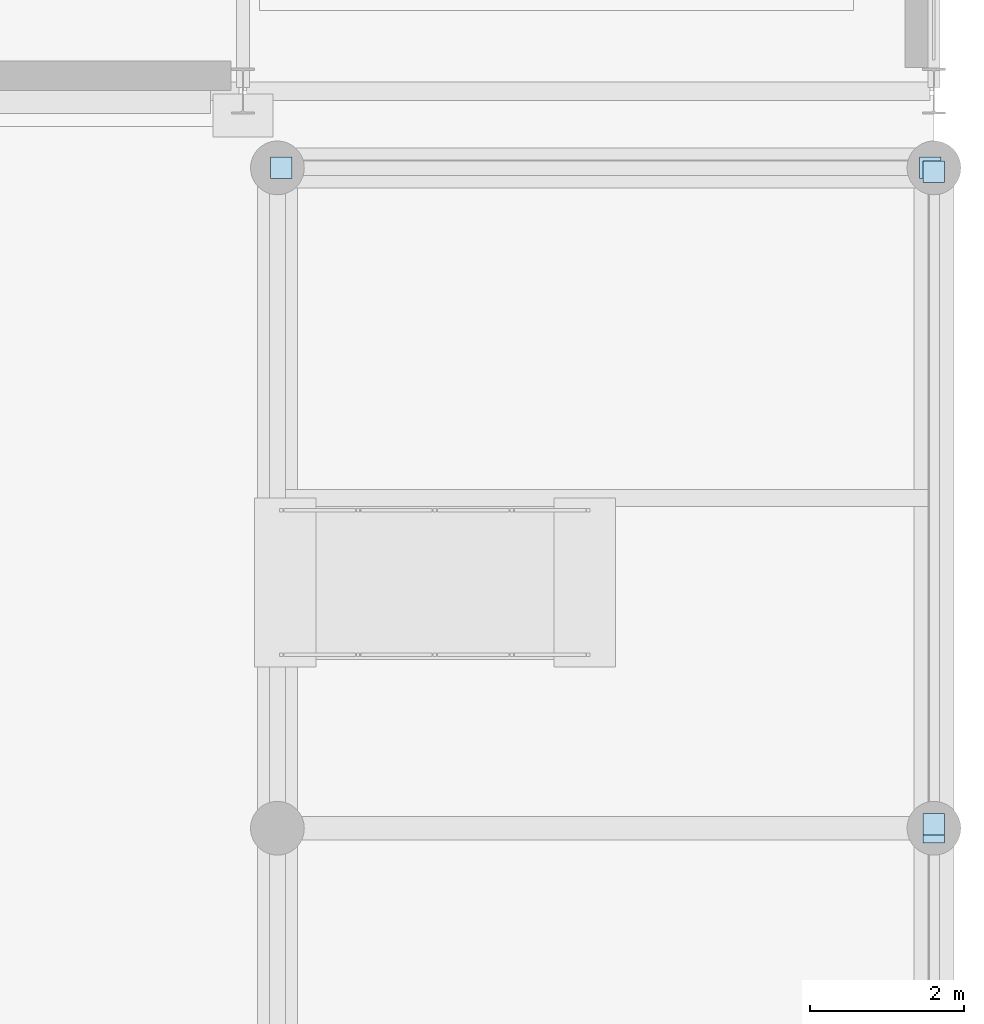
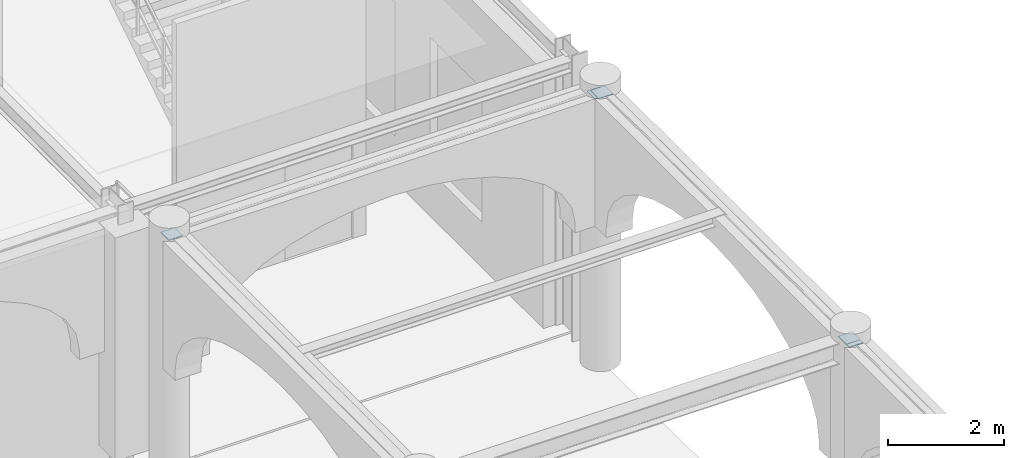
# One storey, part 57 of 113: 5 plates.
"""IFC4 building model written with IfcOpenShell, lengths in metres."""

from ifc_helpers import new_model, si_unit, direction, frame, origin, origin_2d, place, context, subcontext, project, spatial, rectangle, extrude, material, layer, layer_set, type_object, element, save


model = new_model("IFC4")

# Units and contexts
model_context = context("Model", 3, precision=1e-05, world=origin(), true_north=direction((0.0, 1.0)))
body_context = subcontext(model_context, "Body", "Model", "MODEL_VIEW")
ifc_project = project(units=[si_unit("LENGTHUNIT", "METRE"), si_unit("AREAUNIT", "SQUARE_METRE"), si_unit("VOLUMEUNIT", "CUBIC_METRE"), si_unit("PLANEANGLEUNIT", "RADIAN"), si_unit("MASSUNIT", "GRAM", prefix="KILO")], contexts=[model_context])

# Site, building, storey
site_placement = place(None, origin())
site = spatial("IfcSite", under=ifc_project, at=site_placement, CompositionType="ELEMENT")
building_placement = place(site_placement, origin())
building = spatial("IfcBuilding", under=site, at=building_placement, Name="Myrtia Square Station", CompositionType="ELEMENT")
storey_placement = place(building_placement, origin())
storey = spatial("IfcBuildingStorey", under=building, at=storey_placement, Name="L00", CompositionType="ELEMENT", Elevation=0.0)

# Plates
ifc_material = material(Name="Steel S355", Category="steel")
ifc_layer = layer(ifc_material, 0.01611328125, Name="Steel S355")
ifc_layer_set = layer_set([ifc_layer], Name="Steel S355")
plate_type = type_object("IfcPlateType", Name="PLT-GUS16", PredefinedType="USERDEFINED", material=ifc_layer_set)
for number, where, z_axis, x_axis, name in (
    (1, (180.5, 85.39990234375, 5.60693359375), (0.0, 0.0, 1.0), (1.0, 0.0, 0.0), "Truss node gusset plate SPN-L00-0088-1"),
    (2, (188.949951171875, 85.39990234375, 5.60693359375), (0.0, 0.0, 1.0), (1.0, 0.0, 0.0), "Truss node gusset plate SPN-L00-0088-2"),
    (3, (189.0, 76.75, 5.6318359375), (0.0, 0.0, 1.0), (0.0, 1.0, 0.0), "Truss node gusset plate SPNY-L00-0092-2"),
    (4, (189.0, 76.85009765625, 5.6318359375), (0.0, 0.0, 1.0), (0.0, 1.0, 0.0), "Truss node gusset plate SPNY-L00-0093-1"),
    (5, (189.0, 85.35009765625, 5.6318359375), (0.0, 0.0, 1.0), (0.0, 1.0, 0.0), "Truss node gusset plate SPNY-L00-0093-2"),
):
    element("IfcPlate", number, at=place(storey_placement, frame(where, z_axis=z_axis, x_axis=x_axis)), inside=storey, type_object=plate_type, Name=name, ObjectType="GUSSET PLATE", PredefinedType="USERDEFINED", context=body_context, shape_type="SweptSolid", body=[
        extrude(rectangle(XDim=0.280029296875, YDim=0.280029296875, at=origin_2d()), origin(), (0.0, 0.0, 1.0), 0.01611328125),
    ])

save(model, "model.ifc")
